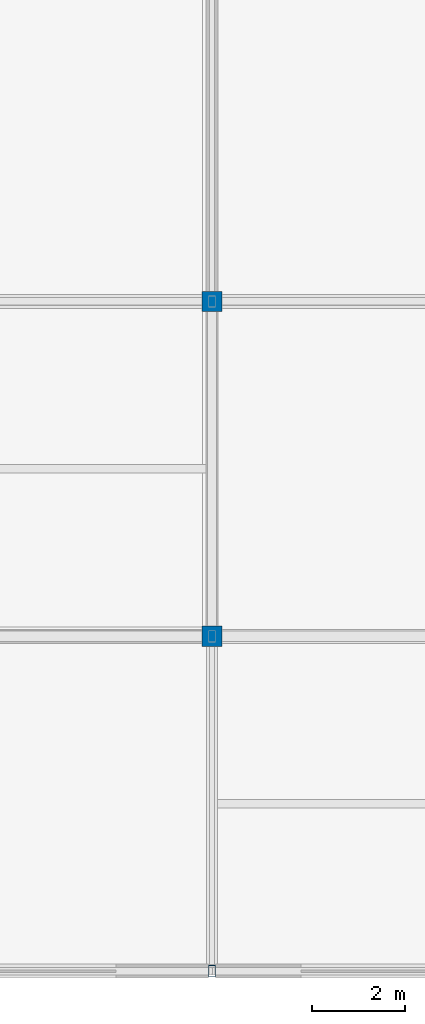
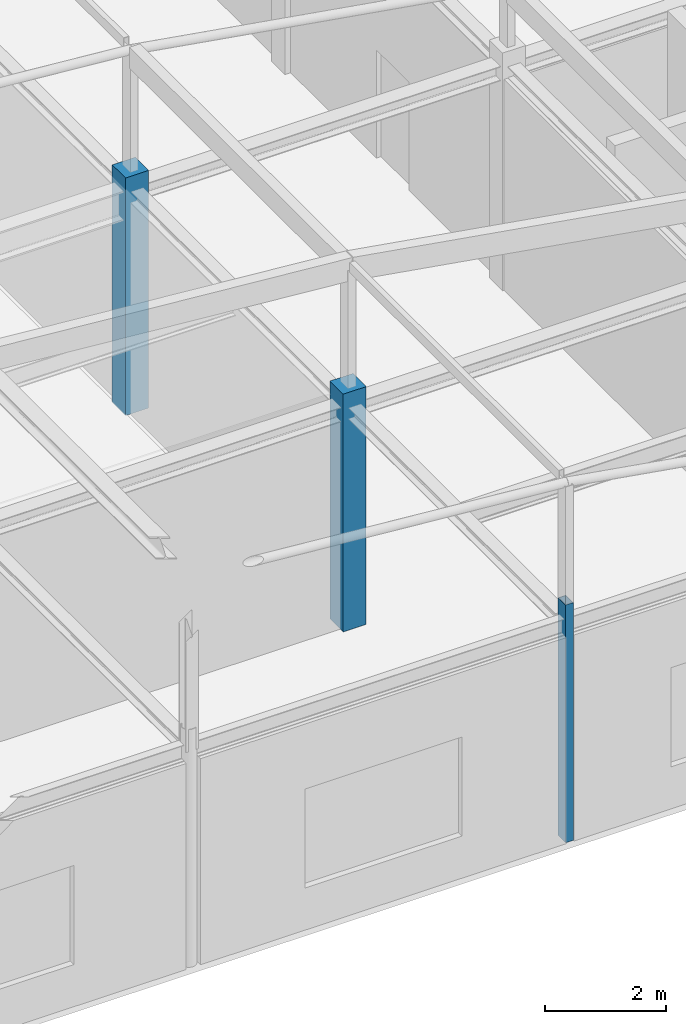
# One storey, part 2 of 23: 3 columns.
"""IFC4 building model written with IfcOpenShell, lengths in metres."""

import ifcopenshell
import ifcopenshell.guid

model = None  # the IFC model being written
_history = None  # IfcOwnerHistory: only IFC2X3 demands one
_inside = {}  # id of a spatial element -> (the spatial element, [elements in it])
_under = {}  # id of a project, library or spatial element -> (it, [spatial elements below it])
_declared = {}  # id of a project -> (the project, [libraries it declares])
_typed = {}  # id of a type object -> (the type object, [elements of that type])
_made_of = {}  # id of a material, layer set ... -> (it, [elements and type objects made of it])


def new_model(schema):
    """Start an empty IFC model of exactly this schema.

    Asked for "IFC4X3", IfcOpenShell would pick the latest addendum, in which some entities
    have other attributes; the version numbers below select the first issue.
    IFC2X3 requires an IfcOwnerHistory on every rooted entity: one is made here for all.
    """
    global model, _history
    if schema == "IFC4X3":
        model = ifcopenshell.file(schema_version=(4, 3, 0, 0))
    else:
        model = ifcopenshell.file(schema=schema)
    _inside.clear()
    _under.clear()
    _declared.clear()
    _typed.clear()
    _made_of.clear()
    _history = None
    if model.schema == "IFC2X3":
        org = make("IfcOrganization", Name="unknown")
        user = make(
            "IfcPersonAndOrganization",
            ThePerson=make("IfcPerson", FamilyName="unknown"),
            TheOrganization=org,
        )
        app = make(
            "IfcApplication",
            ApplicationDeveloper=org,
            Version="unknown",
            ApplicationFullName="unknown",
            ApplicationIdentifier="unknown",
        )
        _history = make(
            "IfcOwnerHistory",
            OwningUser=user,
            OwningApplication=app,
            ChangeAction="ADDED",
            CreationDate=0,
        )
    return model


def make(cls, **values):
    """One entity of the class cls with the attributes given. An attribute that is None is left unset."""
    return model.create_entity(
        cls, **{name: value for name, value in values.items() if value is not None}
    )


def rooted(cls, **values):
    """An entity with a GlobalId (a new one), such as an element, a storey or a relation."""
    return make(cls, GlobalId=ifcopenshell.guid.new(), OwnerHistory=_history, **values)


def si_unit(unit_type, name, prefix=None):
    """IfcSIUnit, for example si_unit("LENGTHUNIT", "METRE", prefix="MILLI")."""
    return make("IfcSIUnit", UnitType=unit_type, Prefix=prefix, Name=name)


def assignment(units):
    """IfcUnitAssignment: the units of a project."""
    return None if units is None else make("IfcUnitAssignment", Units=units)


def point(xyz):
    """IfcCartesianPoint."""
    return None if xyz is None else make("IfcCartesianPoint", Coordinates=xyz)


def direction(xyz):
    """IfcDirection."""
    return None if xyz is None else make("IfcDirection", DirectionRatios=xyz)


def frame(location, z_axis=None, x_axis=None):
    """IfcAxis2Placement3D, a coordinate frame: its origin and axes. An axis left out is left unset."""
    return make(
        "IfcAxis2Placement3D",
        Location=point(location),
        Axis=direction(z_axis),
        RefDirection=direction(x_axis),
    )


def frame_2d(location, x_axis=None):
    """IfcAxis2Placement2D, a coordinate frame in the plane: its origin and x axis."""
    return make(
        "IfcAxis2Placement2D", Location=point(location), RefDirection=direction(x_axis)
    )


def origin():
    """The frame at (0, 0, 0) with its axes left unset."""
    return frame((0.0, 0.0, 0.0))


def origin_2d():
    """The frame at (0, 0) in the plane with its x axis left unset."""
    return frame_2d((0.0, 0.0))


def place(relative_to, where):
    """IfcLocalPlacement: puts the frame where relative to a parent placement (None: the world)."""
    return make(
        "IfcLocalPlacement", PlacementRelTo=relative_to, RelativePlacement=where
    )


def context(
    kind, dimensions, precision=None, world=None, true_north=None, identifier=None
):
    """IfcGeometricRepresentationContext, for example the 3D "Model" context."""
    return make(
        "IfcGeometricRepresentationContext",
        ContextIdentifier=identifier,
        ContextType=kind,
        CoordinateSpaceDimension=dimensions,
        Precision=precision,
        WorldCoordinateSystem=world,
        TrueNorth=true_north,
    )


def subcontext(parent, identifier, kind, view, scale=None):
    """IfcGeometricRepresentationSubContext, for example "Body" below "Model"."""
    return make(
        "IfcGeometricRepresentationSubContext",
        ContextIdentifier=identifier,
        ContextType=kind,
        ParentContext=parent,
        TargetScale=scale,
        TargetView=view,
    )


def project(units=None, contexts=None):
    """IfcProject with its units and contexts."""
    return rooted(
        "IfcProject",
        Name="project",
        RepresentationContexts=contexts,
        UnitsInContext=assignment(units),
    )


def spatial(cls, under=None, at=None, **own):
    """A site, building, storey or space (cls), placed at a placement, below another one or the project."""
    s = rooted(cls, ObjectPlacement=at, **own)
    if under is not None:
        _under.setdefault(under.id(), (under, []))[1].append(s)
    return s


def profile(cls, at=None, kind="AREA", **sizes):
    """A parametric profile (cls). Its sizes go by their IFC names, for example OverallWidth=200.0."""
    return make(cls, ProfileType=kind, Position=at, **sizes)


def rectangle(**sizes):
    """IfcRectangleProfileDef."""
    return profile("IfcRectangleProfileDef", **sizes)


def hollow_rectangle(**sizes):
    """IfcRectangleHollowProfileDef."""
    return profile("IfcRectangleHollowProfileDef", **sizes)


def extrude(swept, where, along, depth):
    """IfcExtrudedAreaSolid: the profile swept, set in the frame where, extruded along a direction by depth."""
    return make(
        "IfcExtrudedAreaSolid",
        SweptArea=swept,
        Position=where,
        ExtrudedDirection=direction(along),
        Depth=depth,
    )


def shape(context_of_items, identifier, shape_type, items):
    """IfcShapeRepresentation: the items that make up one representation, for example the "Body"."""
    return make(
        "IfcShapeRepresentation",
        ContextOfItems=context_of_items,
        RepresentationIdentifier=identifier,
        RepresentationType=shape_type,
        Items=items,
    )


def material(Name=None, Category=None):
    """IfcMaterial."""
    return make("IfcMaterial", Name=Name, Category=Category)


def material_profile(
    of_material, cross_section, Name=None, Category=None, Priority=None
):
    """IfcMaterialProfile: a cross section and its material."""
    return make(
        "IfcMaterialProfile",
        Name=Name,
        Material=of_material,
        Profile=cross_section,
        Priority=Priority,
        Category=Category,
    )


def profile_set(profiles, Name=None, composite=None):
    """IfcMaterialProfileSet."""
    return make(
        "IfcMaterialProfileSet",
        Name=Name,
        MaterialProfiles=profiles,
        CompositeProfile=composite,
    )


def made_of(thing, what):
    """Note that an element or type object is made of a material, layer set ...; save() writes the relation."""
    if what is not None:
        _made_of.setdefault(what.id(), (what, []))[1].append(thing)
    return thing


def type_object(cls, material=None, **own):
    """A type object (cls), such as IfcWallType, which elements share."""
    return made_of(rooted(cls, **own), material)


def element(
    cls,
    number,
    at=None,
    inside=None,
    cuts=None,
    type_object=None,
    material=None,
    context=None,
    identifier="Body",
    shape_type=None,
    held_by="IfcProductDefinitionShape",
    body=None,
    shapes=None,
    **own,
):
    """One element of the class cls, such as IfcWall. Its Tag is "e" and its number.

    at: its placement. inside: the storey or other place that contains it. cuts: it is an
    opening in that element (IfcRelVoidsElement). A single representation is given by context,
    identifier, shape_type and body (its items); several are given by shapes. held_by: the class
    of the entity that holds the representations. save() writes the other relations.
    """
    e = rooted(cls, Tag="e%d" % number, ObjectPlacement=at, **own)
    if body is not None:
        shapes = [shape(context, identifier, shape_type, body)]
    if shapes is not None:
        e.Representation = make(held_by, Representations=shapes)
    if inside is not None:
        _inside.setdefault(inside.id(), (inside, []))[1].append(e)
    if cuts is not None:
        rooted(
            "IfcRelVoidsElement", RelatingBuildingElement=cuts, RelatedOpeningElement=e
        )
    if type_object is not None:
        _typed.setdefault(type_object.id(), (type_object, []))[1].append(e)
    return made_of(e, material)


def aggregate(whole, parts):
    """IfcRelAggregates: a whole, such as a stair, and the parts it consists of."""
    return rooted("IfcRelAggregates", RelatingObject=whole, RelatedObjects=parts)


def save(model, path):
    """Write the relations noted so far, then the file.

    IfcRelAggregates (storeys below a building ...), IfcRelContainedInSpatialStructure (elements
    in a storey), IfcRelDefinesByType, IfcRelAssociatesMaterial and IfcRelDeclares: one each for
    every whole, place, type object, material and project.
    """
    for whole, parts in _under.values():
        aggregate(whole, parts)
    for where, things in _inside.values():
        rooted(
            "IfcRelContainedInSpatialStructure",
            RelatedElements=things,
            RelatingStructure=where,
        )
    for kind, things in _typed.values():
        rooted("IfcRelDefinesByType", RelatedObjects=things, RelatingType=kind)
    for what, things in _made_of.values():
        rooted("IfcRelAssociatesMaterial", RelatedObjects=things, RelatingMaterial=what)
    for by, libraries in _declared.values():
        rooted("IfcRelDeclares", RelatingContext=by, RelatedDefinitions=libraries)
    model.write(path)


model = new_model("IFC4")

# Units and contexts
model_context = context("Model", 3, precision=1e-05, world=origin(), true_north=direction((0.0, 1.0)))
body_context = subcontext(model_context, "Body", "Model", "MODEL_VIEW")
ifc_project = project(units=[si_unit("LENGTHUNIT", "METRE"), si_unit("AREAUNIT", "SQUARE_METRE"), si_unit("VOLUMEUNIT", "CUBIC_METRE"), si_unit("PLANEANGLEUNIT", "RADIAN"), si_unit("MASSUNIT", "GRAM", prefix="KILO")], contexts=[model_context])

# Site, building, storey
site_placement = place(None, origin())
site = spatial("IfcSite", under=ifc_project, at=site_placement, CompositionType="ELEMENT")
building_placement = place(site_placement, origin())
building = spatial("IfcBuilding", under=site, at=building_placement, Name="Cendaluz Park School", CompositionType="ELEMENT")
storey_placement = place(building_placement, frame((0.0, 0.0, 67.199951171875)))
storey = spatial("IfcBuildingStorey", under=building, at=storey_placement, Name="L16", CompositionType="ELEMENT", Elevation=67.199951171875)

# Columns
ifc_material_1 = material(Name="Glulam GL32h", Category="wood")
ifc_material_profile_1 = material_profile(ifc_material_1, rectangle(XDim=0.43994140625, YDim=0.43994140625, at=origin_2d()), Name="GL32h 440x440", Category="wood")
ifc_profile_set_1 = profile_set([ifc_material_profile_1], Name="Glulam GL32h")
column_type_1 = type_object("IfcColumnType", Name="C-GL03", PredefinedType="COLUMN", material=ifc_profile_set_1)
for number, where, z_axis, x_axis, name in (
    (1, (93.60009765625, 21.60009765625, 0.0), (0.0, 0.0, 1.0), (1.0, 0.0, 0.0), "C-L16-CGL03-029"),
    (2, (93.60009765625, 28.800048828125, 0.0), (0.0, 0.0, 1.0), (1.0, 0.0, 0.0), "C-L16-CGL03-030"),
):
    element("IfcColumn", number, at=place(storey_placement, frame(where, z_axis=z_axis, x_axis=x_axis)), inside=storey, type_object=column_type_1, Name=name, PredefinedType="COLUMN", context=body_context, shape_type="SweptSolid", body=[
        extrude(rectangle(XDim=0.43994140625, YDim=0.43994140625, at=origin_2d()), origin(), (0.0, 0.0, 1.0), 4.800048828125),
    ])
ifc_material_2 = material(Name="Steel S355", Category="steel")
ifc_material_profile_2 = material_profile(ifc_material_2, hollow_rectangle(XDim=0.14990234375, YDim=0.25, WallThickness=0.010009765625, at=origin_2d()), Name="RHS 250x150x10", Category="steel")
ifc_profile_set_2 = profile_set([ifc_material_profile_2], Name="Steel S355")
column_type_2 = type_object("IfcColumnType", Name="C-ST04", PredefinedType="COLUMN", material=ifc_profile_set_2)
column_placement = place(storey_placement, frame((93.60009765625, 14.39990234375, 0.0), z_axis=(0.0, 0.0, 1.0), x_axis=(1.0, 0.0, 0.0)))
element("IfcColumn", 3, at=column_placement, inside=storey, type_object=column_type_2, Name="C-L16-CST04-028", PredefinedType="COLUMN", context=body_context, shape_type="SweptSolid", body=[
    extrude(hollow_rectangle(XDim=0.14990234375, YDim=0.25, WallThickness=0.010009765625, at=origin_2d()), origin(), (0.0, 0.0, 1.0), 4.800048828125),
])

save(model, "model.ifc")
